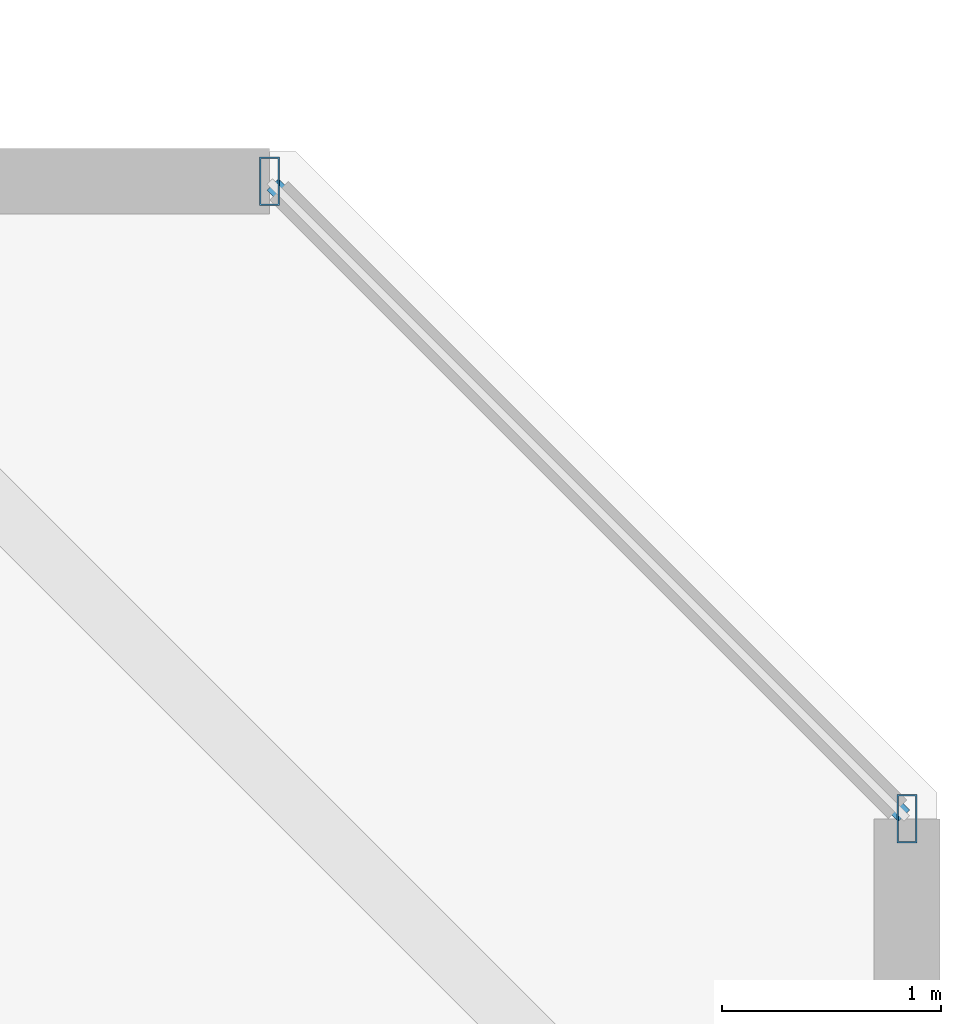
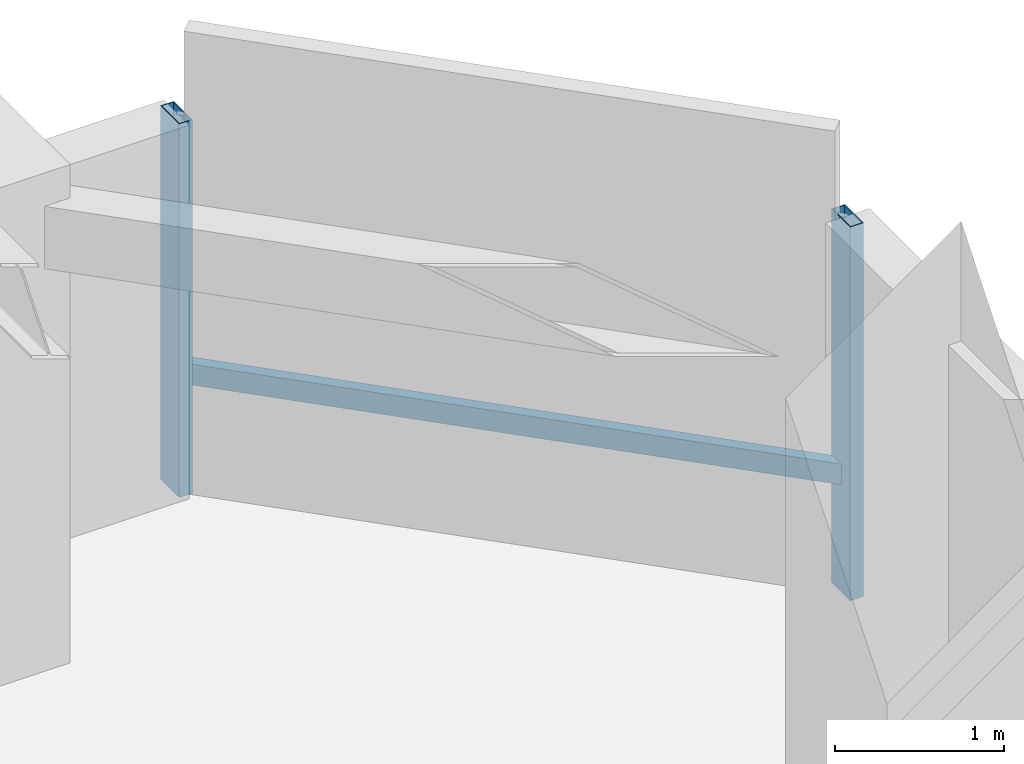
# One storey, part 17 of 33: 3 members, 1 element without a shape of its own.
"""IFC4 building model written with IfcOpenShell, lengths in metres."""

from ifc_helpers import new_model, si_unit, direction, frame, origin, origin_2d, place, context, subcontext, project, spatial, hollow_rectangle, extrude, material, material_profile, profile_set, type_object, element, aggregate, save


model = new_model("IFC4")

# Units and contexts
model_context = context("Model", 3, precision=1e-05, world=origin(), true_north=direction((0.0, 1.0)))
body_context = subcontext(model_context, "Body", "Model", "MODEL_VIEW")
ifc_project = project(units=[si_unit("LENGTHUNIT", "METRE"), si_unit("AREAUNIT", "SQUARE_METRE"), si_unit("VOLUMEUNIT", "CUBIC_METRE"), si_unit("PLANEANGLEUNIT", "RADIAN"), si_unit("MASSUNIT", "GRAM", prefix="KILO")], contexts=[model_context])

# Site, building, storey
site_placement = place(None, origin())
site = spatial("IfcSite", under=ifc_project, at=site_placement, CompositionType="ELEMENT")
building_placement = place(site_placement, origin())
building = spatial("IfcBuilding", under=site, at=building_placement, Name="Thornwick Lancets Civic Towers", CompositionType="ELEMENT")
storey_placement = place(building_placement, frame((0.0, 0.0, 112.5)))
storey = spatial("IfcBuildingStorey", under=building, at=storey_placement, Name="L29", CompositionType="ELEMENT", Elevation=112.5)

# Curtain wall, members
ifc_material_1 = material(Name="Low-zone chamfered-corner unitised glass curtain wall", Category="glass")
curtain_wall_type = type_object("IfcCurtainWallType", Name="CW_SYS_03", PredefinedType="NOTDEFINED", material=ifc_material_1)
curtain_wall_placement = place(storey_placement, origin())
curtain_wall = element("IfcCurtainWall", 1, at=curtain_wall_placement, inside=storey, type_object=curtain_wall_type, Name="L29 Curtain Wall CW-L29-B-E3", PredefinedType="NOTDEFINED")
ifc_material_2 = material(Name="Thermally broken bronze aluminium S355", Category="steel")
ifc_material_profile_1 = material_profile(ifc_material_2, hollow_rectangle(XDim=0.090087890625, YDim=0.219970703125, WallThickness=0.00634765625, at=origin_2d()), Name="RHS 220x90x6.3")
ifc_profile_set_1 = profile_set([ifc_material_profile_1], Name="Thermally broken bronze aluminium S355")
member_type_1 = type_object("IfcMemberType", Name="CW_MUL_220", PredefinedType="MULLION", material=ifc_profile_set_1)
member_1_placement = place(storey_placement, frame((106.463623046875, 42.055419921875, 0.0), z_axis=(0.0, 0.0, 1.0), x_axis=(1.0, 0.0, 0.0)))
member_1 = element("IfcMember", 2, at=member_1_placement, type_object=member_type_1, Name="CW-L29-B-E3 Mullion 0", PredefinedType="MULLION", context=body_context, shape_type="SweptSolid", body=[
    extrude(hollow_rectangle(XDim=0.090087890625, YDim=0.219970703125, WallThickness=0.00634765625, at=origin_2d()), origin(), (0.0, 0.0, 1.0), 2.699951171875),
])
member_2_placement = place(storey_placement, frame((103.555419921875, 44.963623046875, 0.0), z_axis=(0.0, 0.0, 1.0), x_axis=(1.0, 0.0, 0.0)))
member_2 = element("IfcMember", 3, at=member_2_placement, type_object=member_type_1, Name="CW-L29-B-E3 Mullion 1", PredefinedType="MULLION", context=body_context, shape_type="SweptSolid", body=[
    extrude(hollow_rectangle(XDim=0.090087890625, YDim=0.219970703125, WallThickness=0.00634765625, at=origin_2d()), origin(), (0.0, 0.0, 1.0), 2.699951171875),
])
ifc_material_profile_2 = material_profile(ifc_material_2, hollow_rectangle(XDim=0.074951171875, YDim=0.14990234375, WallThickness=0.0048828125, at=origin_2d()), Name="RHS 150x75x5")
ifc_profile_set_2 = profile_set([ifc_material_profile_2], Name="Thermally broken bronze aluminium S355")
member_type_2 = type_object("IfcMemberType", Name="CW_TRN_150", PredefinedType="USERDEFINED", material=ifc_profile_set_2)
member_3_placement = place(storey_placement, frame((106.449462890625, 42.069580078125, 0.85009765625), z_axis=(-0.707106781187, 0.707106781187, 0.0), x_axis=(-0.707106781187, -0.707106781187, 0.0)))
member_3 = element("IfcMember", 4, at=member_3_placement, type_object=member_type_2, Name="CW-L29-B-E3 Transom 0", ObjectType="TRANSOM", PredefinedType="USERDEFINED", context=body_context, shape_type="SweptSolid", body=[
    extrude(hollow_rectangle(XDim=0.074951171875, YDim=0.14990234375, WallThickness=0.0048828125, at=origin_2d()), origin(), (0.0, 0.0, 1.0), 4.07275390625),
])
aggregate(curtain_wall, [member_1, member_2, member_3])

save(model, "model.ifc")
